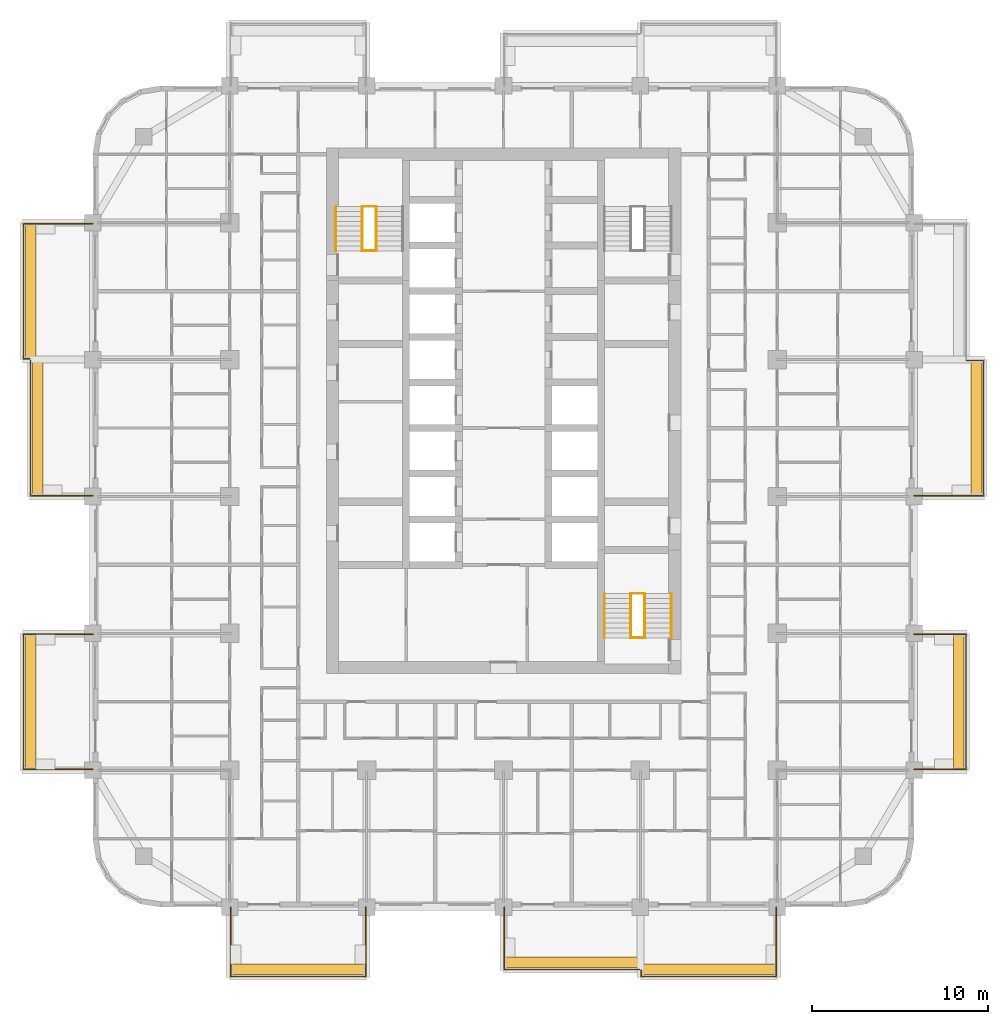
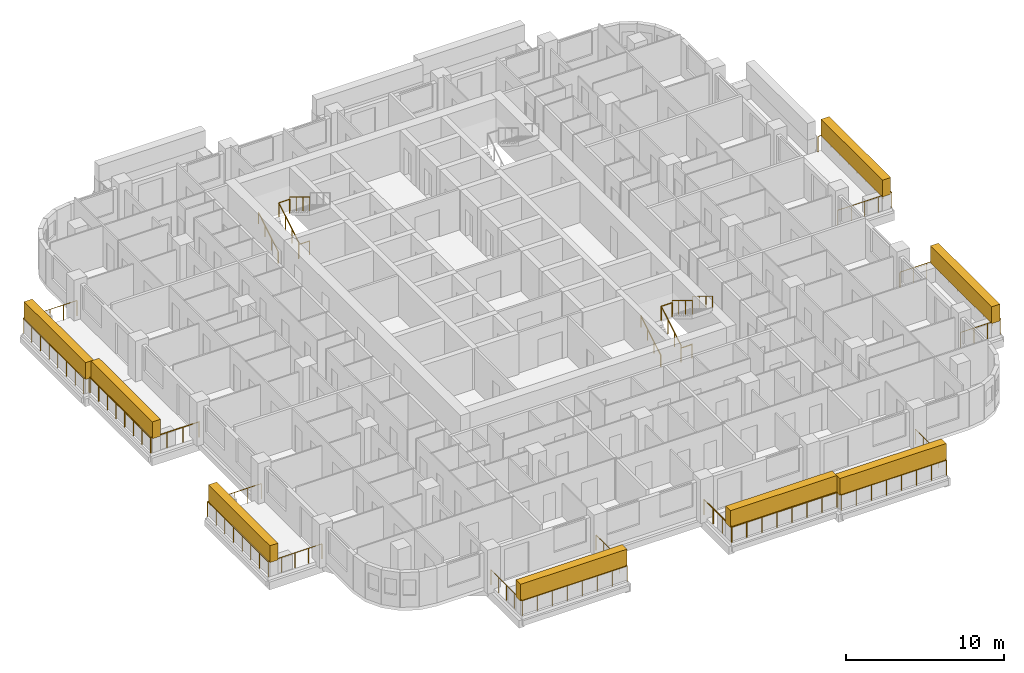
# One storey, part 17 of 18: 19 railings, 8 coverings, 2 elements without a shape of their own.
"""IFC4 building model written with IfcOpenShell, lengths in metres."""

from ifc_helpers import new_model, si_unit, direction, frame, origin, origin_2d, place, context, subcontext, project, spatial, rectangle, circle, extrude, material, layer, layer_set, type_object, element, aggregate, save


model = new_model("IFC4")

# Units and contexts
model_context = context("Model", 3, precision=1e-05, world=origin(), true_north=direction((0.0, 1.0)))
body_context = subcontext(model_context, "Body", "Model", "MODEL_VIEW")
ifc_project = project(units=[si_unit("LENGTHUNIT", "METRE"), si_unit("AREAUNIT", "SQUARE_METRE"), si_unit("VOLUMEUNIT", "CUBIC_METRE"), si_unit("PLANEANGLEUNIT", "RADIAN"), si_unit("MASSUNIT", "GRAM", prefix="KILO")], contexts=[model_context])

# Site, building, storey
site_placement = place(None, origin())
site = spatial("IfcSite", under=ifc_project, at=site_placement, CompositionType="ELEMENT")
building_placement = place(site_placement, origin())
building = spatial("IfcBuilding", under=site, at=building_placement, Name="Ludao Terraces", CompositionType="ELEMENT")
storey_placement = place(building_placement, frame((0.0, 0.0, 75.0)))
storey = spatial("IfcBuildingStorey", under=building, at=storey_placement, Name="L20", CompositionType="ELEMENT", Elevation=75.0)

# Railings
ifc_material_1 = material(Name="Stainless steel 304", Category="steel")
railing_type_1 = type_object("IfcRailingType", Name="ENV Balcony glass guard 1200", PredefinedType="GUARDRAIL", material=ifc_material_1)
railing_1_placement = place(storey_placement, frame((69.449951171875, 41.60009765625, 0.0)))
element("IfcRailing", 1, at=railing_1_placement, inside=storey, type_object=railing_type_1, Name="Balcony guard L20 S1", PredefinedType="GUARDRAIL", context=body_context, shape_type="SweptSolid", body=[
    extrude(circle(Radius=0.02392578125, at=origin_2d()), frame((0.0, 0.0, 1.17578125), z_axis=(0.0, -1.0, 0.0), x_axis=(1.0, 0.0, 0.0)), (0.0, 0.0, 1.0), 3.9501953125),
    extrude(circle(Radius=0.02392578125, at=origin_2d()), frame((0.0, -3.9501953125, 1.17578125), z_axis=(1.0, 0.0, 0.0), x_axis=(0.0, 1.0, 0.0)), (0.0, 0.0, 1.0), 7.699951171875),
    extrude(circle(Radius=0.02392578125, at=origin_2d()), frame((7.699951171875, -3.9501953125, 1.17578125), z_axis=(0.0, 1.0, 0.0), x_axis=(-1.0, 0.0, 0.0)), (0.0, 0.0, 1.0), 3.9501953125),
    extrude(circle(Radius=0.02099609375, at=origin_2d()), origin(), (0.0, 0.0, 1.0), 1.15185546875),
    extrude(circle(Radius=0.02099609375, at=origin_2d()), frame((0.0, -0.987548828125, 0.0)), (0.0, 0.0, 1.0), 1.15185546875),
    extrude(circle(Radius=0.02099609375, at=origin_2d()), frame((0.0, -1.97509765625, 0.0)), (0.0, 0.0, 1.0), 1.15185546875),
    extrude(circle(Radius=0.02099609375, at=origin_2d()), frame((0.0, -2.962646484375, 0.0)), (0.0, 0.0, 1.0), 1.15185546875),
    extrude(circle(Radius=0.02099609375, at=origin_2d()), frame((0.0, -3.9501953125, 0.0)), (0.0, 0.0, 1.0), 1.15185546875),
    extrude(circle(Radius=0.02099609375, at=origin_2d()), frame((1.10009765625, -3.9501953125, 0.0)), (0.0, 0.0, 1.0), 1.15185546875),
    extrude(circle(Radius=0.02099609375, at=origin_2d()), frame((2.199951171875, -3.9501953125, 0.0)), (0.0, 0.0, 1.0), 1.15185546875),
    extrude(circle(Radius=0.02099609375, at=origin_2d()), frame((3.300048828125, -3.9501953125, 0.0)), (0.0, 0.0, 1.0), 1.15185546875),
    extrude(circle(Radius=0.02099609375, at=origin_2d()), frame((4.39990234375, -3.9501953125, 0.0)), (0.0, 0.0, 1.0), 1.15185546875),
    extrude(circle(Radius=0.02099609375, at=origin_2d()), frame((5.5, -3.9501953125, 0.0)), (0.0, 0.0, 1.0), 1.15185546875),
    extrude(circle(Radius=0.02099609375, at=origin_2d()), frame((6.599853515625, -3.9501953125, 0.0)), (0.0, 0.0, 1.0), 1.15185546875),
    extrude(circle(Radius=0.02099609375, at=origin_2d()), frame((7.699951171875, -3.9501953125, 0.0)), (0.0, 0.0, 1.0), 1.15185546875),
    extrude(circle(Radius=0.02099609375, at=origin_2d()), frame((7.699951171875, -2.962646484375, 0.0)), (0.0, 0.0, 1.0), 1.15185546875),
    extrude(circle(Radius=0.02099609375, at=origin_2d()), frame((7.699951171875, -1.97509765625, 0.0)), (0.0, 0.0, 1.0), 1.15185546875),
    extrude(circle(Radius=0.02099609375, at=origin_2d()), frame((7.699951171875, -0.987548828125, 0.0)), (0.0, 0.0, 1.0), 1.15185546875),
    extrude(circle(Radius=0.02099609375, at=origin_2d()), frame((7.699951171875, 0.0, 0.0)), (0.0, 0.0, 1.0), 1.15185546875),
])
railing_2_placement = place(storey_placement, frame((85.050048828125, 41.60009765625, 0.0)))
element("IfcRailing", 2, at=railing_2_placement, inside=storey, type_object=railing_type_1, Name="Balcony guard L20 S3", PredefinedType="GUARDRAIL", context=body_context, shape_type="SweptSolid", body=[
    extrude(circle(Radius=0.02392578125, at=origin_2d()), frame((0.0, 0.0, 1.17578125), z_axis=(0.0, -1.0, 0.0), x_axis=(1.0, 0.0, 0.0)), (0.0, 0.0, 1.0), 3.550048828125),
    extrude(circle(Radius=0.02392578125, at=origin_2d()), frame((0.0, -3.550048828125, 1.17578125), z_axis=(1.0, 0.0, 0.0), x_axis=(0.0, 1.0, 0.0)), (0.0, 0.0, 1.0), 7.699951171875),
    extrude(circle(Radius=0.02099609375, at=origin_2d()), origin(), (0.0, 0.0, 1.0), 1.15185546875),
    extrude(circle(Radius=0.02099609375, at=origin_2d()), frame((0.0, -1.183349609375, 0.0)), (0.0, 0.0, 1.0), 1.15185546875),
    extrude(circle(Radius=0.02099609375, at=origin_2d()), frame((0.0, -2.36669921875, 0.0)), (0.0, 0.0, 1.0), 1.15185546875),
    extrude(circle(Radius=0.02099609375, at=origin_2d()), frame((0.0, -3.550048828125, 0.0)), (0.0, 0.0, 1.0), 1.15185546875),
    extrude(circle(Radius=0.02099609375, at=origin_2d()), frame((1.10009765625, -3.550048828125, 0.0)), (0.0, 0.0, 1.0), 1.15185546875),
    extrude(circle(Radius=0.02099609375, at=origin_2d()), frame((2.199951171875, -3.550048828125, 0.0)), (0.0, 0.0, 1.0), 1.15185546875),
    extrude(circle(Radius=0.02099609375, at=origin_2d()), frame((3.300048828125, -3.550048828125, 0.0)), (0.0, 0.0, 1.0), 1.15185546875),
    extrude(circle(Radius=0.02099609375, at=origin_2d()), frame((4.39990234375, -3.550048828125, 0.0)), (0.0, 0.0, 1.0), 1.15185546875),
    extrude(circle(Radius=0.02099609375, at=origin_2d()), frame((5.5, -3.550048828125, 0.0)), (0.0, 0.0, 1.0), 1.15185546875),
    extrude(circle(Radius=0.02099609375, at=origin_2d()), frame((6.599853515625, -3.550048828125, 0.0)), (0.0, 0.0, 1.0), 1.15185546875),
    extrude(circle(Radius=0.02099609375, at=origin_2d()), frame((7.699951171875, -3.550048828125, 0.0)), (0.0, 0.0, 1.0), 1.15185546875),
])
railing_3_placement = place(storey_placement, frame((92.85009765625, 38.0, 0.0)))
element("IfcRailing", 3, at=railing_3_placement, inside=storey, type_object=railing_type_1, Name="Balcony guard L20 S4", PredefinedType="GUARDRAIL", context=body_context, shape_type="SweptSolid", body=[
    extrude(circle(Radius=0.02392578125, at=origin_2d()), frame((0.0, 0.0, 1.17578125), z_axis=(0.0, -1.0, 0.0), x_axis=(1.0, 0.0, 0.0)), (0.0, 0.0, 1.0), 0.35009765625),
    extrude(circle(Radius=0.02392578125, at=origin_2d()), frame((0.0, -0.35009765625, 1.17578125), z_axis=(1.0, 0.0, 0.0), x_axis=(0.0, 1.0, 0.0)), (0.0, 0.0, 1.0), 7.699951171875),
    extrude(circle(Radius=0.02392578125, at=origin_2d()), frame((7.699951171875, -0.35009765625, 1.17578125), z_axis=(0.0, 1.0, 0.0), x_axis=(-1.0, 0.0, 0.0)), (0.0, 0.0, 1.0), 3.9501953125),
    extrude(circle(Radius=0.02099609375, at=origin_2d()), origin(), (0.0, 0.0, 1.0), 1.15185546875),
    extrude(circle(Radius=0.02099609375, at=origin_2d()), frame((0.0, -0.35009765625, 0.0)), (0.0, 0.0, 1.0), 1.15185546875),
    extrude(circle(Radius=0.02099609375, at=origin_2d()), frame((1.10009765625, -0.35009765625, 0.0)), (0.0, 0.0, 1.0), 1.15185546875),
    extrude(circle(Radius=0.02099609375, at=origin_2d()), frame((2.199951171875, -0.35009765625, 0.0)), (0.0, 0.0, 1.0), 1.15185546875),
    extrude(circle(Radius=0.02099609375, at=origin_2d()), frame((3.300048828125, -0.35009765625, 0.0)), (0.0, 0.0, 1.0), 1.15185546875),
    extrude(circle(Radius=0.02099609375, at=origin_2d()), frame((4.39990234375, -0.35009765625, 0.0)), (0.0, 0.0, 1.0), 1.15185546875),
    extrude(circle(Radius=0.02099609375, at=origin_2d()), frame((5.5, -0.35009765625, 0.0)), (0.0, 0.0, 1.0), 1.15185546875),
    extrude(circle(Radius=0.02099609375, at=origin_2d()), frame((6.599853515625, -0.35009765625, 0.0)), (0.0, 0.0, 1.0), 1.15185546875),
    extrude(circle(Radius=0.02099609375, at=origin_2d()), frame((7.699951171875, -0.35009765625, 0.0)), (0.0, 0.0, 1.0), 1.15185546875),
    extrude(circle(Radius=0.02099609375, at=origin_2d()), frame((7.699951171875, 0.637451171875, 0.0)), (0.0, 0.0, 1.0), 1.15185546875),
    extrude(circle(Radius=0.02099609375, at=origin_2d()), frame((7.699951171875, 1.625, 0.0)), (0.0, 0.0, 1.0), 1.15185546875),
    extrude(circle(Radius=0.02099609375, at=origin_2d()), frame((7.699951171875, 2.612548828125, 0.0)), (0.0, 0.0, 1.0), 1.15185546875),
    extrude(circle(Radius=0.02099609375, at=origin_2d()), frame((7.699951171875, 3.60009765625, 0.0)), (0.0, 0.0, 1.0), 1.15185546875),
])
railing_4_placement = place(storey_placement, frame((108.39990234375, 49.449951171875, 0.0)))
element("IfcRailing", 4, at=railing_4_placement, inside=storey, type_object=railing_type_1, Name="Balcony guard L20 E1", PredefinedType="GUARDRAIL", context=body_context, shape_type="SweptSolid", body=[
    extrude(circle(Radius=0.02392578125, at=origin_2d()), frame((0.0, 0.0, 1.17578125), z_axis=(1.0, 0.0, 0.0), x_axis=(0.0, 1.0, 0.0)), (0.0, 0.0, 1.0), 2.9501953125),
    extrude(circle(Radius=0.02392578125, at=origin_2d()), frame((2.9501953125, 0.0, 1.17578125), z_axis=(0.0, 1.0, 0.0), x_axis=(-1.0, 0.0, 0.0)), (0.0, 0.0, 1.0), 7.699951171875),
    extrude(circle(Radius=0.02392578125, at=origin_2d()), frame((2.9501953125, 7.699951171875, 1.17578125), z_axis=(-1.0, 0.0, 0.0), x_axis=(0.0, -1.0, 0.0)), (0.0, 0.0, 1.0), 2.9501953125),
    extrude(circle(Radius=0.02099609375, at=origin_2d()), origin(), (0.0, 0.0, 1.0), 1.15185546875),
    extrude(circle(Radius=0.02099609375, at=origin_2d()), frame((0.9833984375, 0.0, 0.0)), (0.0, 0.0, 1.0), 1.15185546875),
    extrude(circle(Radius=0.02099609375, at=origin_2d()), frame((1.966796875, 0.0, 0.0)), (0.0, 0.0, 1.0), 1.15185546875),
    extrude(circle(Radius=0.02099609375, at=origin_2d()), frame((2.9501953125, 0.0, 0.0)), (0.0, 0.0, 1.0), 1.15185546875),
    extrude(circle(Radius=0.02099609375, at=origin_2d()), frame((2.9501953125, 1.10009765625, 0.0)), (0.0, 0.0, 1.0), 1.15185546875),
    extrude(circle(Radius=0.02099609375, at=origin_2d()), frame((2.9501953125, 2.199951171875, 0.0)), (0.0, 0.0, 1.0), 1.15185546875),
    extrude(circle(Radius=0.02099609375, at=origin_2d()), frame((2.9501953125, 3.300048828125, 0.0)), (0.0, 0.0, 1.0), 1.15185546875),
    extrude(circle(Radius=0.02099609375, at=origin_2d()), frame((2.9501953125, 4.39990234375, 0.0)), (0.0, 0.0, 1.0), 1.15185546875),
    extrude(circle(Radius=0.02099609375, at=origin_2d()), frame((2.9501953125, 5.5, 0.0)), (0.0, 0.0, 1.0), 1.15185546875),
    extrude(circle(Radius=0.02099609375, at=origin_2d()), frame((2.9501953125, 6.599853515625, 0.0)), (0.0, 0.0, 1.0), 1.15185546875),
    extrude(circle(Radius=0.02099609375, at=origin_2d()), frame((2.9501953125, 7.699951171875, 0.0)), (0.0, 0.0, 1.0), 1.15185546875),
    extrude(circle(Radius=0.02099609375, at=origin_2d()), frame((1.966796875, 7.699951171875, 0.0)), (0.0, 0.0, 1.0), 1.15185546875),
    extrude(circle(Radius=0.02099609375, at=origin_2d()), frame((0.9833984375, 7.699951171875, 0.0)), (0.0, 0.0, 1.0), 1.15185546875),
    extrude(circle(Radius=0.02099609375, at=origin_2d()), frame((0.0, 7.699951171875, 0.0)), (0.0, 0.0, 1.0), 1.15185546875),
])
railing_5_placement = place(storey_placement, frame((108.39990234375, 65.050048828125, 0.0)))
element("IfcRailing", 5, at=railing_5_placement, inside=storey, type_object=railing_type_1, Name="Balcony guard L20 E3", PredefinedType="GUARDRAIL", context=body_context, shape_type="SweptSolid", body=[
    extrude(circle(Radius=0.02392578125, at=origin_2d()), frame((0.0, 0.0, 1.17578125), z_axis=(1.0, 0.0, 0.0), x_axis=(0.0, 1.0, 0.0)), (0.0, 0.0, 1.0), 3.9501953125),
    extrude(circle(Radius=0.02392578125, at=origin_2d()), frame((3.9501953125, 0.0, 1.17578125), z_axis=(0.0, 1.0, 0.0), x_axis=(-1.0, 0.0, 0.0)), (0.0, 0.0, 1.0), 7.699951171875),
    extrude(circle(Radius=0.02392578125, at=origin_2d()), frame((3.9501953125, 7.699951171875, 1.17578125), z_axis=(-1.0, 0.0, 0.0), x_axis=(0.0, -1.0, 0.0)), (0.0, 0.0, 1.0), 0.9501953125),
    extrude(circle(Radius=0.02099609375, at=origin_2d()), origin(), (0.0, 0.0, 1.0), 1.15185546875),
    extrude(circle(Radius=0.02099609375, at=origin_2d()), frame((0.987548828125, 0.0, 0.0)), (0.0, 0.0, 1.0), 1.15185546875),
    extrude(circle(Radius=0.02099609375, at=origin_2d()), frame((1.97509765625, 0.0, 0.0)), (0.0, 0.0, 1.0), 1.15185546875),
    extrude(circle(Radius=0.02099609375, at=origin_2d()), frame((2.962646484375, 0.0, 0.0)), (0.0, 0.0, 1.0), 1.15185546875),
    extrude(circle(Radius=0.02099609375, at=origin_2d()), frame((3.9501953125, 0.0, 0.0)), (0.0, 0.0, 1.0), 1.15185546875),
    extrude(circle(Radius=0.02099609375, at=origin_2d()), frame((3.9501953125, 1.10009765625, 0.0)), (0.0, 0.0, 1.0), 1.15185546875),
    extrude(circle(Radius=0.02099609375, at=origin_2d()), frame((3.9501953125, 2.199951171875, 0.0)), (0.0, 0.0, 1.0), 1.15185546875),
    extrude(circle(Radius=0.02099609375, at=origin_2d()), frame((3.9501953125, 3.300048828125, 0.0)), (0.0, 0.0, 1.0), 1.15185546875),
    extrude(circle(Radius=0.02099609375, at=origin_2d()), frame((3.9501953125, 4.39990234375, 0.0)), (0.0, 0.0, 1.0), 1.15185546875),
    extrude(circle(Radius=0.02099609375, at=origin_2d()), frame((3.9501953125, 5.5, 0.0)), (0.0, 0.0, 1.0), 1.15185546875),
    extrude(circle(Radius=0.02099609375, at=origin_2d()), frame((3.9501953125, 6.599853515625, 0.0)), (0.0, 0.0, 1.0), 1.15185546875),
    extrude(circle(Radius=0.02099609375, at=origin_2d()), frame((3.9501953125, 7.699951171875, 0.0)), (0.0, 0.0, 1.0), 1.15185546875),
    extrude(circle(Radius=0.02099609375, at=origin_2d()), frame((3.0, 7.699951171875, 0.0)), (0.0, 0.0, 1.0), 1.15185546875),
])
railing_6_placement = place(storey_placement, frame((61.60009765625, 49.449951171875, 0.0)))
element("IfcRailing", 6, at=railing_6_placement, inside=storey, type_object=railing_type_1, Name="Balcony guard L20 W1", PredefinedType="GUARDRAIL", context=body_context, shape_type="SweptSolid", body=[
    extrude(circle(Radius=0.02392578125, at=origin_2d()), frame((0.0, 0.0, 1.17578125), z_axis=(-1.0, 0.0, 0.0), x_axis=(0.0, -1.0, 0.0)), (0.0, 0.0, 1.0), 3.9501953125),
    extrude(circle(Radius=0.02392578125, at=origin_2d()), frame((-3.9501953125, 0.0, 1.17578125), z_axis=(0.0, 1.0, 0.0), x_axis=(-1.0, 0.0, 0.0)), (0.0, 0.0, 1.0), 7.699951171875),
    extrude(circle(Radius=0.02392578125, at=origin_2d()), frame((-3.9501953125, 7.699951171875, 1.17578125), z_axis=(1.0, 0.0, 0.0), x_axis=(0.0, 1.0, 0.0)), (0.0, 0.0, 1.0), 3.9501953125),
    extrude(circle(Radius=0.02099609375, at=origin_2d()), origin(), (0.0, 0.0, 1.0), 1.15185546875),
    extrude(circle(Radius=0.02099609375, at=origin_2d()), frame((-0.987548828125, 0.0, 0.0)), (0.0, 0.0, 1.0), 1.15185546875),
    extrude(circle(Radius=0.02099609375, at=origin_2d()), frame((-1.97509765625, 0.0, 0.0)), (0.0, 0.0, 1.0), 1.15185546875),
    extrude(circle(Radius=0.02099609375, at=origin_2d()), frame((-2.962646484375, 0.0, 0.0)), (0.0, 0.0, 1.0), 1.15185546875),
    extrude(circle(Radius=0.02099609375, at=origin_2d()), frame((-3.9501953125, 0.0, 0.0)), (0.0, 0.0, 1.0), 1.15185546875),
    extrude(circle(Radius=0.02099609375, at=origin_2d()), frame((-3.9501953125, 1.10009765625, 0.0)), (0.0, 0.0, 1.0), 1.15185546875),
    extrude(circle(Radius=0.02099609375, at=origin_2d()), frame((-3.9501953125, 2.199951171875, 0.0)), (0.0, 0.0, 1.0), 1.15185546875),
    extrude(circle(Radius=0.02099609375, at=origin_2d()), frame((-3.9501953125, 3.300048828125, 0.0)), (0.0, 0.0, 1.0), 1.15185546875),
    extrude(circle(Radius=0.02099609375, at=origin_2d()), frame((-3.9501953125, 4.39990234375, 0.0)), (0.0, 0.0, 1.0), 1.15185546875),
    extrude(circle(Radius=0.02099609375, at=origin_2d()), frame((-3.9501953125, 5.5, 0.0)), (0.0, 0.0, 1.0), 1.15185546875),
    extrude(circle(Radius=0.02099609375, at=origin_2d()), frame((-3.9501953125, 6.599853515625, 0.0)), (0.0, 0.0, 1.0), 1.15185546875),
    extrude(circle(Radius=0.02099609375, at=origin_2d()), frame((-3.9501953125, 7.699951171875, 0.0)), (0.0, 0.0, 1.0), 1.15185546875),
    extrude(circle(Radius=0.02099609375, at=origin_2d()), frame((-2.962646484375, 7.699951171875, 0.0)), (0.0, 0.0, 1.0), 1.15185546875),
    extrude(circle(Radius=0.02099609375, at=origin_2d()), frame((-1.97509765625, 7.699951171875, 0.0)), (0.0, 0.0, 1.0), 1.15185546875),
    extrude(circle(Radius=0.02099609375, at=origin_2d()), frame((-0.987548828125, 7.699951171875, 0.0)), (0.0, 0.0, 1.0), 1.15185546875),
    extrude(circle(Radius=0.02099609375, at=origin_2d()), frame((0.0, 7.699951171875, 0.0)), (0.0, 0.0, 1.0), 1.15185546875),
])
railing_7_placement = place(storey_placement, frame((61.60009765625, 65.050048828125, 0.0)))
element("IfcRailing", 7, at=railing_7_placement, inside=storey, type_object=railing_type_1, Name="Balcony guard L20 W3", PredefinedType="GUARDRAIL", context=body_context, shape_type="SweptSolid", body=[
    extrude(circle(Radius=0.02392578125, at=origin_2d()), frame((0.0, 0.0, 1.17578125), z_axis=(-1.0, 0.0, 0.0), x_axis=(0.0, -1.0, 0.0)), (0.0, 0.0, 1.0), 3.550048828125),
    extrude(circle(Radius=0.02392578125, at=origin_2d()), frame((-3.550048828125, 0.0, 1.17578125), z_axis=(0.0, 1.0, 0.0), x_axis=(-1.0, 0.0, 0.0)), (0.0, 0.0, 1.0), 7.699951171875),
    extrude(circle(Radius=0.02099609375, at=origin_2d()), origin(), (0.0, 0.0, 1.0), 1.15185546875),
    extrude(circle(Radius=0.02099609375, at=origin_2d()), frame((-1.183349609375, 0.0, 0.0)), (0.0, 0.0, 1.0), 1.15185546875),
    extrude(circle(Radius=0.02099609375, at=origin_2d()), frame((-2.36669921875, 0.0, 0.0)), (0.0, 0.0, 1.0), 1.15185546875),
    extrude(circle(Radius=0.02099609375, at=origin_2d()), frame((-3.550048828125, 0.0, 0.0)), (0.0, 0.0, 1.0), 1.15185546875),
    extrude(circle(Radius=0.02099609375, at=origin_2d()), frame((-3.550048828125, 1.10009765625, 0.0)), (0.0, 0.0, 1.0), 1.15185546875),
    extrude(circle(Radius=0.02099609375, at=origin_2d()), frame((-3.550048828125, 2.199951171875, 0.0)), (0.0, 0.0, 1.0), 1.15185546875),
    extrude(circle(Radius=0.02099609375, at=origin_2d()), frame((-3.550048828125, 3.300048828125, 0.0)), (0.0, 0.0, 1.0), 1.15185546875),
    extrude(circle(Radius=0.02099609375, at=origin_2d()), frame((-3.550048828125, 4.39990234375, 0.0)), (0.0, 0.0, 1.0), 1.15185546875),
    extrude(circle(Radius=0.02099609375, at=origin_2d()), frame((-3.550048828125, 5.5, 0.0)), (0.0, 0.0, 1.0), 1.15185546875),
    extrude(circle(Radius=0.02099609375, at=origin_2d()), frame((-3.550048828125, 6.599853515625, 0.0)), (0.0, 0.0, 1.0), 1.15185546875),
    extrude(circle(Radius=0.02099609375, at=origin_2d()), frame((-3.550048828125, 7.699951171875, 0.0)), (0.0, 0.0, 1.0), 1.15185546875),
])
railing_8_placement = place(storey_placement, frame((58.0, 72.85009765625, 0.0)))
element("IfcRailing", 8, at=railing_8_placement, inside=storey, type_object=railing_type_1, Name="Balcony guard L20 W4", PredefinedType="GUARDRAIL", context=body_context, shape_type="SweptSolid", body=[
    extrude(circle(Radius=0.02392578125, at=origin_2d()), frame((0.0, 0.0, 1.17578125), z_axis=(-1.0, 0.0, 0.0), x_axis=(0.0, -1.0, 0.0)), (0.0, 0.0, 1.0), 0.35009765625),
    extrude(circle(Radius=0.02392578125, at=origin_2d()), frame((-0.35009765625, 0.0, 1.17578125), z_axis=(0.0, 1.0, 0.0), x_axis=(-1.0, 0.0, 0.0)), (0.0, 0.0, 1.0), 7.699951171875),
    extrude(circle(Radius=0.02392578125, at=origin_2d()), frame((-0.35009765625, 7.699951171875, 1.17578125), z_axis=(1.0, 0.0, 0.0), x_axis=(0.0, 1.0, 0.0)), (0.0, 0.0, 1.0), 3.9501953125),
    extrude(circle(Radius=0.02099609375, at=origin_2d()), origin(), (0.0, 0.0, 1.0), 1.15185546875),
    extrude(circle(Radius=0.02099609375, at=origin_2d()), frame((-0.35009765625, 0.0, 0.0)), (0.0, 0.0, 1.0), 1.15185546875),
    extrude(circle(Radius=0.02099609375, at=origin_2d()), frame((-0.35009765625, 1.10009765625, 0.0)), (0.0, 0.0, 1.0), 1.15185546875),
    extrude(circle(Radius=0.02099609375, at=origin_2d()), frame((-0.35009765625, 2.199951171875, 0.0)), (0.0, 0.0, 1.0), 1.15185546875),
    extrude(circle(Radius=0.02099609375, at=origin_2d()), frame((-0.35009765625, 3.300048828125, 0.0)), (0.0, 0.0, 1.0), 1.15185546875),
    extrude(circle(Radius=0.02099609375, at=origin_2d()), frame((-0.35009765625, 4.39990234375, 0.0)), (0.0, 0.0, 1.0), 1.15185546875),
    extrude(circle(Radius=0.02099609375, at=origin_2d()), frame((-0.35009765625, 5.5, 0.0)), (0.0, 0.0, 1.0), 1.15185546875),
    extrude(circle(Radius=0.02099609375, at=origin_2d()), frame((-0.35009765625, 6.599853515625, 0.0)), (0.0, 0.0, 1.0), 1.15185546875),
    extrude(circle(Radius=0.02099609375, at=origin_2d()), frame((-0.35009765625, 7.699951171875, 0.0)), (0.0, 0.0, 1.0), 1.15185546875),
    extrude(circle(Radius=0.02099609375, at=origin_2d()), frame((0.637451171875, 7.699951171875, 0.0)), (0.0, 0.0, 1.0), 1.15185546875),
    extrude(circle(Radius=0.02099609375, at=origin_2d()), frame((1.625, 7.699951171875, 0.0)), (0.0, 0.0, 1.0), 1.15185546875),
    extrude(circle(Radius=0.02099609375, at=origin_2d()), frame((2.612548828125, 7.699951171875, 0.0)), (0.0, 0.0, 1.0), 1.15185546875),
    extrude(circle(Radius=0.02099609375, at=origin_2d()), frame((3.60009765625, 7.699951171875, 0.0)), (0.0, 0.0, 1.0), 1.15185546875),
])

# Coverings
ifc_material_2 = material(Name="Planting")
ifc_layer = layer(ifc_material_2, 0.60009765625)
ifc_layer_set = layer_set([ifc_layer], Name="ENV Planting hedge 600x1300")
covering_type = type_object("IfcCoveringType", Name="ENV Planting hedge 600x1300", PredefinedType="USERDEFINED", material=ifc_layer_set)
for number, where, z_axis, x_axis, name in (
    (9, (73.300048828125, 38.050048828125, 1.10009765625), (0.0, 0.0, 1.0), (1.0, 0.0, 0.0), "Planting hedge L20-S1"),
    (10, (88.89990234375, 38.449951171875, 1.10009765625), (0.0, 0.0, 1.0), (1.0, 0.0, 0.0), "Planting hedge L20-S3"),
    (11, (96.699951171875, 38.050048828125, 1.10009765625), (0.0, 0.0, 1.0), (1.0, 0.0, 0.0), "Planting hedge L20-S4"),
):
    element("IfcCovering", number, at=place(storey_placement, frame(where, z_axis=z_axis, x_axis=x_axis)), inside=storey, type_object=covering_type, Name=name, ObjectType="PLANTING", PredefinedType="USERDEFINED", context=body_context, shape_type="SweptSolid", body=[
        extrude(rectangle(XDim=7.800048828125, YDim=0.60009765625, at=origin_2d()), origin(), (0.0, 0.0, 1.0), 1.300048828125),
    ])
for number, where, z_axis, x_axis, name in (
    (12, (110.949951171875, 53.300048828125, 1.10009765625), (0.0, 0.0, 1.0), (1.0, 0.0, 0.0), "Planting hedge L20-E1"),
    (13, (111.949951171875, 68.89990234375, 1.10009765625), (0.0, 0.0, 1.0), (1.0, 0.0, 0.0), "Planting hedge L20-E3"),
    (14, (58.050048828125, 53.300048828125, 1.10009765625), (0.0, 0.0, 1.0), (1.0, 0.0, 0.0), "Planting hedge L20-W1"),
    (15, (58.449951171875, 68.89990234375, 1.10009765625), (0.0, 0.0, 1.0), (1.0, 0.0, 0.0), "Planting hedge L20-W3"),
    (16, (58.050048828125, 76.699951171875, 1.10009765625), (0.0, 0.0, 1.0), (1.0, 0.0, 0.0), "Planting hedge L20-W4"),
):
    element("IfcCovering", number, at=place(storey_placement, frame(where, z_axis=z_axis, x_axis=x_axis)), inside=storey, type_object=covering_type, Name=name, ObjectType="PLANTING", PredefinedType="USERDEFINED", context=body_context, shape_type="SweptSolid", body=[
        extrude(rectangle(XDim=0.60009765625, YDim=7.800048828125, at=origin_2d()), origin(), (0.0, 0.0, 1.0), 1.300048828125),
    ])

# Stair, railings
ifc_material_3 = material(Name="Concrete C40", Category="concrete")
stair_type = type_object("IfcStairType", Name="INT Stair", PredefinedType="HALF_TURN_STAIR", material=ifc_material_3)
stair_1_placement = place(storey_placement, origin())
stair_1 = element("IfcStair", 17, at=stair_1_placement, inside=storey, type_object=stair_type, Name="EXIT STAIR 1", PredefinedType="HALF_TURN_STAIR")
railing_type_2 = type_object("IfcRailingType", Name="INT Stair guard 1100", PredefinedType="GUARDRAIL", material=ifc_material_1)
railing_9_placement = place(storey_placement, frame((76.949951171875, 79.0, 0.169921875)))
railing_9 = element("IfcRailing", 18, at=railing_9_placement, type_object=railing_type_2, Name="ST-L20-S1-R1G", PredefinedType="GUARDRAIL", context=body_context, shape_type="SweptSolid", body=[
    extrude(circle(Radius=0.02392578125, at=origin_2d()), frame((0.0, 0.0, 1.076171875), z_axis=(0.0, 0.85478489116, 0.518982456201), x_axis=(-1.0, 0.0, 0.0)), (0.0, 0.0, 1.0), 2.9482421875),
    extrude(circle(Radius=0.02099609375, at=origin_2d()), origin(), (0.0, 0.0, 1.0), 1.052001953125),
    extrude(circle(Radius=0.02099609375, at=origin_2d()), frame((0.0, 0.840087890625, 0.510009765625)), (0.0, 0.0, 1.0), 1.052001953125),
    extrude(circle(Radius=0.02099609375, at=origin_2d()), frame((0.0, 1.679931640625, 1.02001953125)), (0.0, 0.0, 1.0), 1.052001953125),
    extrude(circle(Radius=0.02099609375, at=origin_2d()), frame((0.0, 2.52001953125, 1.530029296875)), (0.0, 0.0, 1.0), 1.052001953125),
])
railing_10_placement = place(storey_placement, frame((77.75, 81.52001953125, 1.8701171875)))
railing_10 = element("IfcRailing", 19, at=railing_10_placement, type_object=railing_type_2, Name="ST-L20-S1-R2G", PredefinedType="GUARDRAIL", context=body_context, shape_type="SweptSolid", body=[
    extrude(circle(Radius=0.02392578125, at=origin_2d()), frame((0.0, 0.0, 1.076171875), z_axis=(0.0, -0.854821627497, 0.518921945155), x_axis=(1.0, 0.0, 0.0)), (0.0, 0.0, 1.0), 2.947998046875),
    extrude(circle(Radius=0.02099609375, at=origin_2d()), origin(), (0.0, 0.0, 1.0), 1.052001953125),
    extrude(circle(Radius=0.02099609375, at=origin_2d()), frame((0.0, -0.840087890625, 0.510009765625)), (0.0, 0.0, 1.0), 1.052001953125),
    extrude(circle(Radius=0.02099609375, at=origin_2d()), frame((0.0, -1.679931640625, 1.019775390625)), (0.0, 0.0, 1.0), 1.052001953125),
    extrude(circle(Radius=0.02099609375, at=origin_2d()), frame((0.0, -2.52001953125, 1.52978515625)), (0.0, 0.0, 1.0), 1.052001953125),
])
railing_11_placement = place(storey_placement, frame((76.949951171875, 81.52001953125, 1.699951171875)))
railing_11 = element("IfcRailing", 20, at=railing_11_placement, type_object=railing_type_2, Name="ST-L20-S1-E1G", PredefinedType="GUARDRAIL", context=body_context, shape_type="SweptSolid", body=[
    extrude(circle(Radius=0.02392578125, at=origin_2d()), frame((0.0, 0.0, 1.076171875), z_axis=(1.0, 0.0, 0.0), x_axis=(0.0, 1.0, 0.0)), (0.0, 0.0, 1.0), 0.800048828125),
    extrude(circle(Radius=0.02099609375, at=origin_2d()), origin(), (0.0, 0.0, 1.0), 1.052001953125),
    extrude(circle(Radius=0.02099609375, at=origin_2d()), frame((0.800048828125, 0.0, 0.0)), (0.0, 0.0, 1.0), 1.052001953125),
])
railing_12_placement = place(storey_placement, frame((76.949951171875, 79.0, 0.0)))
railing_12 = element("IfcRailing", 21, at=railing_12_placement, type_object=railing_type_2, Name="ST-L20-S1-E2G", PredefinedType="GUARDRAIL", context=body_context, shape_type="SweptSolid", body=[
    extrude(circle(Radius=0.02392578125, at=origin_2d()), frame((0.0, 0.0, 1.076171875), z_axis=(1.0, 0.0, 0.0), x_axis=(0.0, 1.0, 0.0)), (0.0, 0.0, 1.0), 0.800048828125),
    extrude(circle(Radius=0.02099609375, at=origin_2d()), origin(), (0.0, 0.0, 1.0), 1.052001953125),
    extrude(circle(Radius=0.02099609375, at=origin_2d()), frame((0.800048828125, 0.0, 0.0)), (0.0, 0.0, 1.0), 1.052001953125),
])

stair_2_placement = place(storey_placement, origin())
stair_2 = element("IfcStair", 22, at=stair_2_placement, inside=storey, type_object=stair_type, Name="EXIT STAIR 3", PredefinedType="HALF_TURN_STAIR")
railing_13_placement = place(storey_placement, frame((92.25, 56.949951171875, 0.169921875)))
railing_13 = element("IfcRailing", 23, at=railing_13_placement, type_object=railing_type_2, Name="ST-L20-S3-R1G", PredefinedType="GUARDRAIL", context=body_context, shape_type="SweptSolid", body=[
    extrude(circle(Radius=0.02392578125, at=origin_2d()), frame((0.0, 0.0, 1.076171875), z_axis=(0.0, 0.85478489116, 0.518982456201), x_axis=(-1.0, 0.0, 0.0)), (0.0, 0.0, 1.0), 2.9482421875),
    extrude(circle(Radius=0.02099609375, at=origin_2d()), origin(), (0.0, 0.0, 1.0), 1.052001953125),
    extrude(circle(Radius=0.02099609375, at=origin_2d()), frame((0.0, 0.840087890625, 0.510009765625)), (0.0, 0.0, 1.0), 1.052001953125),
    extrude(circle(Radius=0.02099609375, at=origin_2d()), frame((0.0, 1.679931640625, 1.02001953125)), (0.0, 0.0, 1.0), 1.052001953125),
    extrude(circle(Radius=0.02099609375, at=origin_2d()), frame((0.0, 2.52001953125, 1.530029296875)), (0.0, 0.0, 1.0), 1.052001953125),
])
railing_14_placement = place(storey_placement, frame((93.050048828125, 59.469970703125, 1.8701171875)))
railing_14 = element("IfcRailing", 24, at=railing_14_placement, type_object=railing_type_2, Name="ST-L20-S3-R2G", PredefinedType="GUARDRAIL", context=body_context, shape_type="SweptSolid", body=[
    extrude(circle(Radius=0.02392578125, at=origin_2d()), frame((0.0, 0.0, 1.076171875), z_axis=(0.0, -0.854821627497, 0.518921945155), x_axis=(1.0, 0.0, 0.0)), (0.0, 0.0, 1.0), 2.947998046875),
    extrude(circle(Radius=0.02099609375, at=origin_2d()), origin(), (0.0, 0.0, 1.0), 1.052001953125),
    extrude(circle(Radius=0.02099609375, at=origin_2d()), frame((0.0, -0.840087890625, 0.510009765625)), (0.0, 0.0, 1.0), 1.052001953125),
    extrude(circle(Radius=0.02099609375, at=origin_2d()), frame((0.0, -1.679931640625, 1.019775390625)), (0.0, 0.0, 1.0), 1.052001953125),
    extrude(circle(Radius=0.02099609375, at=origin_2d()), frame((0.0, -2.52001953125, 1.52978515625)), (0.0, 0.0, 1.0), 1.052001953125),
])
railing_15_placement = place(storey_placement, frame((92.25, 59.469970703125, 1.699951171875)))
railing_15 = element("IfcRailing", 25, at=railing_15_placement, type_object=railing_type_2, Name="ST-L20-S3-E1G", PredefinedType="GUARDRAIL", context=body_context, shape_type="SweptSolid", body=[
    extrude(circle(Radius=0.02392578125, at=origin_2d()), frame((0.0, 0.0, 1.076171875), z_axis=(1.0, 0.0, 0.0), x_axis=(0.0, 1.0, 0.0)), (0.0, 0.0, 1.0), 0.800048828125),
    extrude(circle(Radius=0.02099609375, at=origin_2d()), origin(), (0.0, 0.0, 1.0), 1.052001953125),
    extrude(circle(Radius=0.02099609375, at=origin_2d()), frame((0.800048828125, 0.0, 0.0)), (0.0, 0.0, 1.0), 1.052001953125),
])
railing_16_placement = place(storey_placement, frame((92.25, 56.949951171875, 0.0)))
railing_16 = element("IfcRailing", 26, at=railing_16_placement, type_object=railing_type_2, Name="ST-L20-S3-E2G", PredefinedType="GUARDRAIL", context=body_context, shape_type="SweptSolid", body=[
    extrude(circle(Radius=0.02392578125, at=origin_2d()), frame((0.0, 0.0, 1.076171875), z_axis=(1.0, 0.0, 0.0), x_axis=(0.0, 1.0, 0.0)), (0.0, 0.0, 1.0), 0.800048828125),
    extrude(circle(Radius=0.02099609375, at=origin_2d()), origin(), (0.0, 0.0, 1.0), 1.052001953125),
    extrude(circle(Radius=0.02099609375, at=origin_2d()), frame((0.800048828125, 0.0, 0.0)), (0.0, 0.0, 1.0), 1.052001953125),
])

# Railing
railing_type_3 = type_object("IfcRailingType", Name="INT Stair handrail 900", PredefinedType="HANDRAIL", material=ifc_material_1)
railing_17_placement = place(storey_placement, frame((75.449951171875, 79.0, 0.169921875)))
railing_17 = element("IfcRailing", 27, at=railing_17_placement, type_object=railing_type_3, Name="ST-L20-S1-R1H", PredefinedType="HANDRAIL", context=body_context, shape_type="SweptSolid", body=[
    extrude(circle(Radius=0.02392578125, at=origin_2d()), frame((0.0, 0.0, 0.8759765625), z_axis=(0.0, 0.85478489116, 0.518982456201), x_axis=(-1.0, 0.0, 0.0)), (0.0, 0.0, 1.0), 2.9482421875),
    extrude(circle(Radius=0.02099609375, at=origin_2d()), origin(), (0.0, 0.0, 1.0), 0.851806640625),
    extrude(circle(Radius=0.02099609375, at=origin_2d()), frame((0.0, 0.840087890625, 0.510009765625)), (0.0, 0.0, 1.0), 0.851806640625),
    extrude(circle(Radius=0.02099609375, at=origin_2d()), frame((0.0, 1.679931640625, 1.02001953125)), (0.0, 0.0, 1.0), 0.851806640625),
    extrude(circle(Radius=0.02099609375, at=origin_2d()), frame((0.0, 2.52001953125, 1.530029296875)), (0.0, 0.0, 1.0), 0.851806640625),
])

aggregate(stair_1, [railing_9, railing_17, railing_10, railing_11, railing_12])

railing_18_placement = place(storey_placement, frame((90.75, 56.949951171875, 0.169921875)))
railing_18 = element("IfcRailing", 28, at=railing_18_placement, type_object=railing_type_3, Name="ST-L20-S3-R1H", PredefinedType="HANDRAIL", context=body_context, shape_type="SweptSolid", body=[
    extrude(circle(Radius=0.02392578125, at=origin_2d()), frame((0.0, 0.0, 0.8759765625), z_axis=(0.0, 0.85478489116, 0.518982456201), x_axis=(-1.0, 0.0, 0.0)), (0.0, 0.0, 1.0), 2.9482421875),
    extrude(circle(Radius=0.02099609375, at=origin_2d()), origin(), (0.0, 0.0, 1.0), 0.851806640625),
    extrude(circle(Radius=0.02099609375, at=origin_2d()), frame((0.0, 0.840087890625, 0.510009765625)), (0.0, 0.0, 1.0), 0.851806640625),
    extrude(circle(Radius=0.02099609375, at=origin_2d()), frame((0.0, 1.679931640625, 1.02001953125)), (0.0, 0.0, 1.0), 0.851806640625),
    extrude(circle(Radius=0.02099609375, at=origin_2d()), frame((0.0, 2.52001953125, 1.530029296875)), (0.0, 0.0, 1.0), 0.851806640625),
])

railing_19_placement = place(storey_placement, frame((94.550048828125, 59.469970703125, 1.8701171875)))
railing_19 = element("IfcRailing", 29, at=railing_19_placement, type_object=railing_type_3, Name="ST-L20-S3-R2H", PredefinedType="HANDRAIL", context=body_context, shape_type="SweptSolid", body=[
    extrude(circle(Radius=0.02392578125, at=origin_2d()), frame((0.0, 0.0, 0.8759765625), z_axis=(0.0, -0.854821627497, 0.518921945155), x_axis=(1.0, 0.0, 0.0)), (0.0, 0.0, 1.0), 2.947998046875),
    extrude(circle(Radius=0.02099609375, at=origin_2d()), origin(), (0.0, 0.0, 1.0), 0.851806640625),
    extrude(circle(Radius=0.02099609375, at=origin_2d()), frame((0.0, -0.840087890625, 0.510009765625)), (0.0, 0.0, 1.0), 0.851806640625),
    extrude(circle(Radius=0.02099609375, at=origin_2d()), frame((0.0, -1.679931640625, 1.019775390625)), (0.0, 0.0, 1.0), 0.851806640625),
    extrude(circle(Radius=0.02099609375, at=origin_2d()), frame((0.0, -2.52001953125, 1.52978515625)), (0.0, 0.0, 1.0), 0.851806640625),
])

aggregate(stair_2, [railing_13, railing_18, railing_14, railing_19, railing_15, railing_16])

save(model, "model.ifc")
